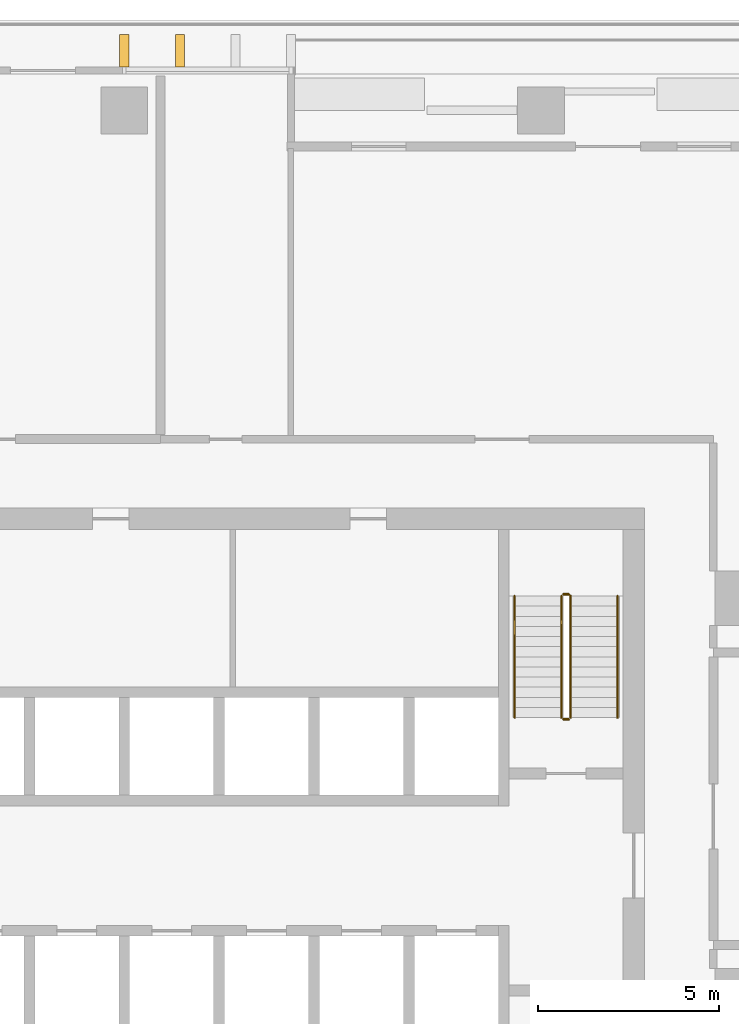
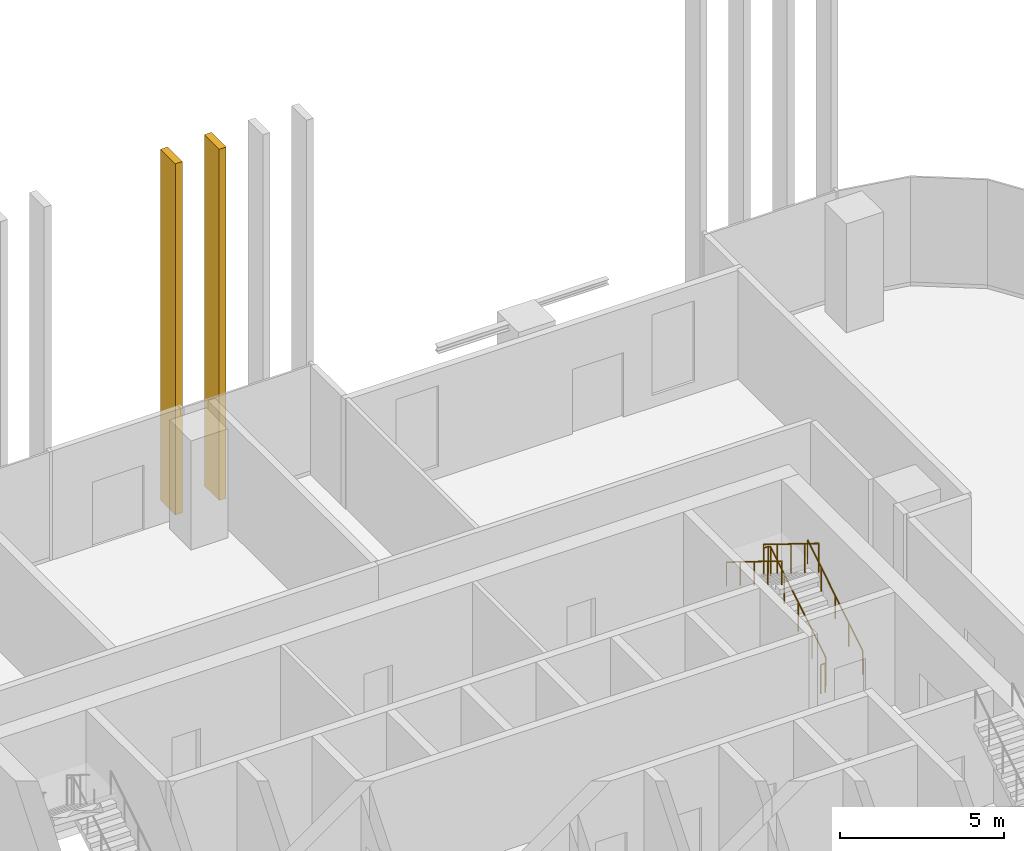
# One storey, part 17 of 18: 5 railings, 2 shading devices.
"""IFC4 building model written with IfcOpenShell, lengths in metres."""

import ifcopenshell
import ifcopenshell.guid

model = None  # the IFC model being written
_history = None  # IfcOwnerHistory: only IFC2X3 demands one
_inside = {}  # id of a spatial element -> (the spatial element, [elements in it])
_under = {}  # id of a project, library or spatial element -> (it, [spatial elements below it])
_declared = {}  # id of a project -> (the project, [libraries it declares])
_typed = {}  # id of a type object -> (the type object, [elements of that type])
_made_of = {}  # id of a material, layer set ... -> (it, [elements and type objects made of it])


def new_model(schema):
    """Start an empty IFC model of exactly this schema.

    Asked for "IFC4X3", IfcOpenShell would pick the latest addendum, in which some entities
    have other attributes; the version numbers below select the first issue.
    IFC2X3 requires an IfcOwnerHistory on every rooted entity: one is made here for all.
    """
    global model, _history
    if schema == "IFC4X3":
        model = ifcopenshell.file(schema_version=(4, 3, 0, 0))
    else:
        model = ifcopenshell.file(schema=schema)
    _inside.clear()
    _under.clear()
    _declared.clear()
    _typed.clear()
    _made_of.clear()
    _history = None
    if model.schema == "IFC2X3":
        org = make("IfcOrganization", Name="unknown")
        user = make(
            "IfcPersonAndOrganization",
            ThePerson=make("IfcPerson", FamilyName="unknown"),
            TheOrganization=org,
        )
        app = make(
            "IfcApplication",
            ApplicationDeveloper=org,
            Version="unknown",
            ApplicationFullName="unknown",
            ApplicationIdentifier="unknown",
        )
        _history = make(
            "IfcOwnerHistory",
            OwningUser=user,
            OwningApplication=app,
            ChangeAction="ADDED",
            CreationDate=0,
        )
    return model


def make(cls, **values):
    """One entity of the class cls with the attributes given. An attribute that is None is left unset."""
    return model.create_entity(
        cls, **{name: value for name, value in values.items() if value is not None}
    )


def rooted(cls, **values):
    """An entity with a GlobalId (a new one), such as an element, a storey or a relation."""
    return make(cls, GlobalId=ifcopenshell.guid.new(), OwnerHistory=_history, **values)


def si_unit(unit_type, name, prefix=None):
    """IfcSIUnit, for example si_unit("LENGTHUNIT", "METRE", prefix="MILLI")."""
    return make("IfcSIUnit", UnitType=unit_type, Prefix=prefix, Name=name)


def assignment(units):
    """IfcUnitAssignment: the units of a project."""
    return None if units is None else make("IfcUnitAssignment", Units=units)


def point(xyz):
    """IfcCartesianPoint."""
    return None if xyz is None else make("IfcCartesianPoint", Coordinates=xyz)


def direction(xyz):
    """IfcDirection."""
    return None if xyz is None else make("IfcDirection", DirectionRatios=xyz)


def frame(location, z_axis=None, x_axis=None):
    """IfcAxis2Placement3D, a coordinate frame: its origin and axes. An axis left out is left unset."""
    return make(
        "IfcAxis2Placement3D",
        Location=point(location),
        Axis=direction(z_axis),
        RefDirection=direction(x_axis),
    )


def frame_2d(location, x_axis=None):
    """IfcAxis2Placement2D, a coordinate frame in the plane: its origin and x axis."""
    return make(
        "IfcAxis2Placement2D", Location=point(location), RefDirection=direction(x_axis)
    )


def origin():
    """The frame at (0, 0, 0) with its axes left unset."""
    return frame((0.0, 0.0, 0.0))


def origin_2d():
    """The frame at (0, 0) in the plane with its x axis left unset."""
    return frame_2d((0.0, 0.0))


def place(relative_to, where):
    """IfcLocalPlacement: puts the frame where relative to a parent placement (None: the world)."""
    return make(
        "IfcLocalPlacement", PlacementRelTo=relative_to, RelativePlacement=where
    )


def context(
    kind, dimensions, precision=None, world=None, true_north=None, identifier=None
):
    """IfcGeometricRepresentationContext, for example the 3D "Model" context."""
    return make(
        "IfcGeometricRepresentationContext",
        ContextIdentifier=identifier,
        ContextType=kind,
        CoordinateSpaceDimension=dimensions,
        Precision=precision,
        WorldCoordinateSystem=world,
        TrueNorth=true_north,
    )


def subcontext(parent, identifier, kind, view, scale=None):
    """IfcGeometricRepresentationSubContext, for example "Body" below "Model"."""
    return make(
        "IfcGeometricRepresentationSubContext",
        ContextIdentifier=identifier,
        ContextType=kind,
        ParentContext=parent,
        TargetScale=scale,
        TargetView=view,
    )


def project(units=None, contexts=None):
    """IfcProject with its units and contexts."""
    return rooted(
        "IfcProject",
        Name="project",
        RepresentationContexts=contexts,
        UnitsInContext=assignment(units),
    )


def spatial(cls, under=None, at=None, **own):
    """A site, building, storey or space (cls), placed at a placement, below another one or the project."""
    s = rooted(cls, ObjectPlacement=at, **own)
    if under is not None:
        _under.setdefault(under.id(), (under, []))[1].append(s)
    return s


def profile(cls, at=None, kind="AREA", **sizes):
    """A parametric profile (cls). Its sizes go by their IFC names, for example OverallWidth=200.0."""
    return make(cls, ProfileType=kind, Position=at, **sizes)


def rectangle(**sizes):
    """IfcRectangleProfileDef."""
    return profile("IfcRectangleProfileDef", **sizes)


def circle(**sizes):
    """IfcCircleProfileDef."""
    return profile("IfcCircleProfileDef", **sizes)


def extrude(swept, where, along, depth):
    """IfcExtrudedAreaSolid: the profile swept, set in the frame where, extruded along a direction by depth."""
    return make(
        "IfcExtrudedAreaSolid",
        SweptArea=swept,
        Position=where,
        ExtrudedDirection=direction(along),
        Depth=depth,
    )


def shape(context_of_items, identifier, shape_type, items):
    """IfcShapeRepresentation: the items that make up one representation, for example the "Body"."""
    return make(
        "IfcShapeRepresentation",
        ContextOfItems=context_of_items,
        RepresentationIdentifier=identifier,
        RepresentationType=shape_type,
        Items=items,
    )


def material(Name=None, Category=None):
    """IfcMaterial."""
    return make("IfcMaterial", Name=Name, Category=Category)


def made_of(thing, what):
    """Note that an element or type object is made of a material, layer set ...; save() writes the relation."""
    if what is not None:
        _made_of.setdefault(what.id(), (what, []))[1].append(thing)
    return thing


def type_object(cls, material=None, **own):
    """A type object (cls), such as IfcWallType, which elements share."""
    return made_of(rooted(cls, **own), material)


def element(
    cls,
    number,
    at=None,
    inside=None,
    cuts=None,
    type_object=None,
    material=None,
    context=None,
    identifier="Body",
    shape_type=None,
    held_by="IfcProductDefinitionShape",
    body=None,
    shapes=None,
    **own,
):
    """One element of the class cls, such as IfcWall. Its Tag is "e" and its number.

    at: its placement. inside: the storey or other place that contains it. cuts: it is an
    opening in that element (IfcRelVoidsElement). A single representation is given by context,
    identifier, shape_type and body (its items); several are given by shapes. held_by: the class
    of the entity that holds the representations. save() writes the other relations.
    """
    e = rooted(cls, Tag="e%d" % number, ObjectPlacement=at, **own)
    if body is not None:
        shapes = [shape(context, identifier, shape_type, body)]
    if shapes is not None:
        e.Representation = make(held_by, Representations=shapes)
    if inside is not None:
        _inside.setdefault(inside.id(), (inside, []))[1].append(e)
    if cuts is not None:
        rooted(
            "IfcRelVoidsElement", RelatingBuildingElement=cuts, RelatedOpeningElement=e
        )
    if type_object is not None:
        _typed.setdefault(type_object.id(), (type_object, []))[1].append(e)
    return made_of(e, material)


def aggregate(whole, parts):
    """IfcRelAggregates: a whole, such as a stair, and the parts it consists of."""
    return rooted("IfcRelAggregates", RelatingObject=whole, RelatedObjects=parts)


def save(model, path):
    """Write the relations noted so far, then the file.

    IfcRelAggregates (storeys below a building ...), IfcRelContainedInSpatialStructure (elements
    in a storey), IfcRelDefinesByType, IfcRelAssociatesMaterial and IfcRelDeclares: one each for
    every whole, place, type object, material and project.
    """
    for whole, parts in _under.values():
        aggregate(whole, parts)
    for where, things in _inside.values():
        rooted(
            "IfcRelContainedInSpatialStructure",
            RelatedElements=things,
            RelatingStructure=where,
        )
    for kind, things in _typed.values():
        rooted("IfcRelDefinesByType", RelatedObjects=things, RelatingType=kind)
    for what, things in _made_of.values():
        rooted("IfcRelAssociatesMaterial", RelatedObjects=things, RelatingMaterial=what)
    for by, libraries in _declared.values():
        rooted("IfcRelDeclares", RelatingContext=by, RelatedDefinitions=libraries)
    model.write(path)


model = new_model("IFC4")

# Units and contexts
model_context = context("Model", 3, precision=1e-05, world=origin(), true_north=direction((0.0, 1.0)))
body_context = subcontext(model_context, "Body", "Model", "MODEL_VIEW")
ifc_project = project(units=[si_unit("LENGTHUNIT", "METRE"), si_unit("AREAUNIT", "SQUARE_METRE"), si_unit("VOLUMEUNIT", "CUBIC_METRE"), si_unit("PLANEANGLEUNIT", "RADIAN"), si_unit("MASSUNIT", "GRAM", prefix="KILO")], contexts=[model_context])

# Site, building, storey
site_placement = place(None, origin())
site = spatial("IfcSite", under=ifc_project, at=site_placement, CompositionType="ELEMENT")
building_placement = place(site_placement, origin())
building = spatial("IfcBuilding", under=site, at=building_placement, Name="Mopane Tessera Tower", CompositionType="ELEMENT")
storey_placement = place(building_placement, frame((0.0, 0.0, 94.60009765625)))
storey = spatial("IfcBuildingStorey", under=building, at=storey_placement, Name="L18", CompositionType="ELEMENT", Elevation=94.60009765625)

# Shading devices
ifc_material_1 = material(Name="Glazed ceramic tile")
shading_device_type = type_object("IfcShadingDeviceType", Name="Ceramic tile fin 900 x 250 mm", PredefinedType="USERDEFINED", material=ifc_material_1)
for number, where, z_axis, x_axis, name in (
    (1, (1.53662109375, 26.14990234375, 0.0), (0.0, 0.0, 1.0), (-1.0, 0.0, 0.0), "e:fin:L18:N:4:2"),
    (2, (0.0, 26.14990234375, 0.0), (0.0, 0.0, 1.0), (-1.0, 0.0, 0.0), "e:fin:L18:N:4:3"),
):
    element("IfcShadingDevice", number, at=place(storey_placement, frame(where, z_axis=z_axis, x_axis=x_axis)), inside=storey, type_object=shading_device_type, Name=name, ObjectType="FIN", PredefinedType="USERDEFINED", context=body_context, shape_type="SweptSolid", body=[
        extrude(rectangle(XDim=0.25, YDim=0.89990234375, at=origin_2d()), origin(), (0.0, 0.0, 1.0), 13.050048828125),
    ])

# Railings
ifc_material_2 = material(Name="Powder-coated steel balustrade", Category="steel")
railing_type_1 = type_object("IfcRailingType", Name="Escape stair guard 1100 mm", PredefinedType="GUARDRAIL", material=ifc_material_2)
railing_1_placement = place(storey_placement, frame((12.35009765625, 7.699951171875, 0.173095703125)))
element("IfcRailing", 3, at=railing_1_placement, inside=storey, type_object=railing_type_1, Name="L18 ST4 stair guard 1", PredefinedType="GUARDRAIL", context=body_context, shape_type="SweptSolid", body=[
    extrude(circle(Radius=0.02392578125, at=origin_2d()), frame((0.0, 0.0, 1.076171875), z_axis=(0.0, 0.850623216509, 0.525775754039), x_axis=(-1.0, 0.0, 0.0)), (0.0, 0.0, 1.0), 3.9501953125),
    extrude(circle(Radius=0.02392578125, at=origin_2d()), frame((0.0, 3.360107421875, 3.15283203125), z_axis=(-0.707106781187, 0.707106781187, 0.0), x_axis=(-0.707106781187, -0.707106781187, 0.0)), (0.0, 0.0, 1.0), 0.07080078125),
    extrude(circle(Radius=0.02392578125, at=origin_2d()), frame((-0.050048828125, 3.41015625, 3.15283203125), z_axis=(-1.0, 0.0, 0.0), x_axis=(0.0, -1.0, 0.0)), (0.0, 0.0, 1.0), 0.150146484375),
    extrude(circle(Radius=0.02099609375, at=origin_2d()), origin(), (0.0, 0.0, 1.0), 1.052001953125),
    extrude(circle(Radius=0.02099609375, at=origin_2d()), frame((0.0, 0.840087890625, 0.519287109375)), (0.0, 0.0, 1.0), 1.052001953125),
    extrude(circle(Radius=0.02099609375, at=origin_2d()), frame((0.0, 1.68017578125, 1.03857421875)), (0.0, 0.0, 1.0), 1.052001953125),
    extrude(circle(Radius=0.02099609375, at=origin_2d()), frame((0.0, 2.52001953125, 1.5576171875)), (0.0, 0.0, 1.0), 1.052001953125),
    extrude(circle(Radius=0.02099609375, at=origin_2d()), frame((0.0, 3.360107421875, 2.076904296875)), (0.0, 0.0, 1.0), 1.052001953125),
    extrude(circle(Radius=0.02099609375, at=origin_2d()), frame((-0.050048828125, 3.41015625, 2.076904296875)), (0.0, 0.0, 1.0), 1.052001953125),
    extrude(circle(Radius=0.02099609375, at=origin_2d()), frame((-0.2001953125, 3.41015625, 2.076904296875)), (0.0, 0.0, 1.0), 1.052001953125),
])
railing_2_placement = place(storey_placement, frame((12.10009765625, 11.06005859375, 2.423095703125)))
element("IfcRailing", 4, at=railing_2_placement, inside=storey, type_object=railing_type_1, Name="L18 ST4 stair guard 2", PredefinedType="GUARDRAIL", context=body_context, shape_type="SweptSolid", body=[
    extrude(circle(Radius=0.02392578125, at=origin_2d()), frame((0.0, 0.0, 1.076171875), z_axis=(0.0, -0.850623216509, 0.525775754039), x_axis=(1.0, 0.0, 0.0)), (0.0, 0.0, 1.0), 3.9501953125),
    extrude(circle(Radius=0.02099609375, at=origin_2d()), origin(), (0.0, 0.0, 1.0), 1.052001953125),
    extrude(circle(Radius=0.02099609375, at=origin_2d()), frame((0.0, -0.840087890625, 0.519287109375)), (0.0, 0.0, 1.0), 1.052001953125),
    extrude(circle(Radius=0.02099609375, at=origin_2d()), frame((0.0, -1.68017578125, 1.03857421875)), (0.0, 0.0, 1.0), 1.052001953125),
    extrude(circle(Radius=0.02099609375, at=origin_2d()), frame((0.0, -2.52001953125, 1.5576171875)), (0.0, 0.0, 1.0), 1.052001953125),
    extrude(circle(Radius=0.02099609375, at=origin_2d()), frame((0.0, -3.360107421875, 2.076904296875)), (0.0, 0.0, 1.0), 1.052001953125),
])
railing_3_placement = place(storey_placement, frame((12.300048828125, 7.64990234375, 0.0)))
element("IfcRailing", 5, at=railing_3_placement, inside=storey, type_object=railing_type_1, Name="L18 ST4 stair guard 3", PredefinedType="GUARDRAIL", context=body_context, shape_type="SweptSolid", body=[
    extrude(circle(Radius=0.02392578125, at=origin_2d()), frame((0.0, 0.0, 1.076171875), z_axis=(-1.0, 0.0, 0.0), x_axis=(0.0, -1.0, 0.0)), (0.0, 0.0, 1.0), 0.150146484375),
    extrude(circle(Radius=0.02099609375, at=origin_2d()), origin(), (0.0, 0.0, 1.0), 1.052001953125),
    extrude(circle(Radius=0.02099609375, at=origin_2d()), frame((-0.150146484375, 0.0, 0.0)), (0.0, 0.0, 1.0), 1.052001953125),
])
ifc_material_3 = material(Name="Powder-coated steel balustrade", Category="steel")
railing_type_2 = type_object("IfcRailingType", Name="Escape stair handrail 900 mm", PredefinedType="HANDRAIL", material=ifc_material_3)
railing_4_placement = place(storey_placement, frame((13.64990234375, 7.699951171875, 0.173095703125)))
element("IfcRailing", 6, at=railing_4_placement, inside=storey, type_object=railing_type_2, Name="L18 ST4 stair handrail 1", PredefinedType="HANDRAIL", context=body_context, shape_type="SweptSolid", body=[
    extrude(circle(Radius=0.02392578125, at=origin_2d()), frame((0.0, 0.0, 0.8759765625), z_axis=(0.0, 0.850623216509, 0.525775754039), x_axis=(-1.0, 0.0, 0.0)), (0.0, 0.0, 1.0), 3.9501953125),
    extrude(circle(Radius=0.02099609375, at=origin_2d()), origin(), (0.0, 0.0, 1.0), 0.851806640625),
    extrude(circle(Radius=0.02099609375, at=origin_2d()), frame((0.0, 0.840087890625, 0.519287109375)), (0.0, 0.0, 1.0), 0.851806640625),
    extrude(circle(Radius=0.02099609375, at=origin_2d()), frame((0.0, 1.68017578125, 1.03857421875)), (0.0, 0.0, 1.0), 0.851806640625),
    extrude(circle(Radius=0.02099609375, at=origin_2d()), frame((0.0, 2.52001953125, 1.5576171875)), (0.0, 0.0, 1.0), 0.851806640625),
    extrude(circle(Radius=0.02099609375, at=origin_2d()), frame((0.0, 3.360107421875, 2.076904296875)), (0.0, 0.0, 1.0), 0.851806640625),
])
railing_5_placement = place(storey_placement, frame((10.800048828125, 11.06005859375, 2.423095703125)))
element("IfcRailing", 7, at=railing_5_placement, inside=storey, type_object=railing_type_2, Name="L18 ST4 stair handrail 2", PredefinedType="HANDRAIL", context=body_context, shape_type="SweptSolid", body=[
    extrude(circle(Radius=0.02392578125, at=origin_2d()), frame((0.0, 0.0, 0.8759765625), z_axis=(0.0, -0.850623216509, 0.525775754039), x_axis=(1.0, 0.0, 0.0)), (0.0, 0.0, 1.0), 3.9501953125),
    extrude(circle(Radius=0.02099609375, at=origin_2d()), origin(), (0.0, 0.0, 1.0), 0.851806640625),
    extrude(circle(Radius=0.02099609375, at=origin_2d()), frame((0.0, -0.840087890625, 0.519287109375)), (0.0, 0.0, 1.0), 0.851806640625),
    extrude(circle(Radius=0.02099609375, at=origin_2d()), frame((0.0, -1.68017578125, 1.03857421875)), (0.0, 0.0, 1.0), 0.851806640625),
    extrude(circle(Radius=0.02099609375, at=origin_2d()), frame((0.0, -2.52001953125, 1.5576171875)), (0.0, 0.0, 1.0), 0.851806640625),
    extrude(circle(Radius=0.02099609375, at=origin_2d()), frame((0.0, -3.360107421875, 2.076904296875)), (0.0, 0.0, 1.0), 0.851806640625),
])

save(model, "model.ifc")
